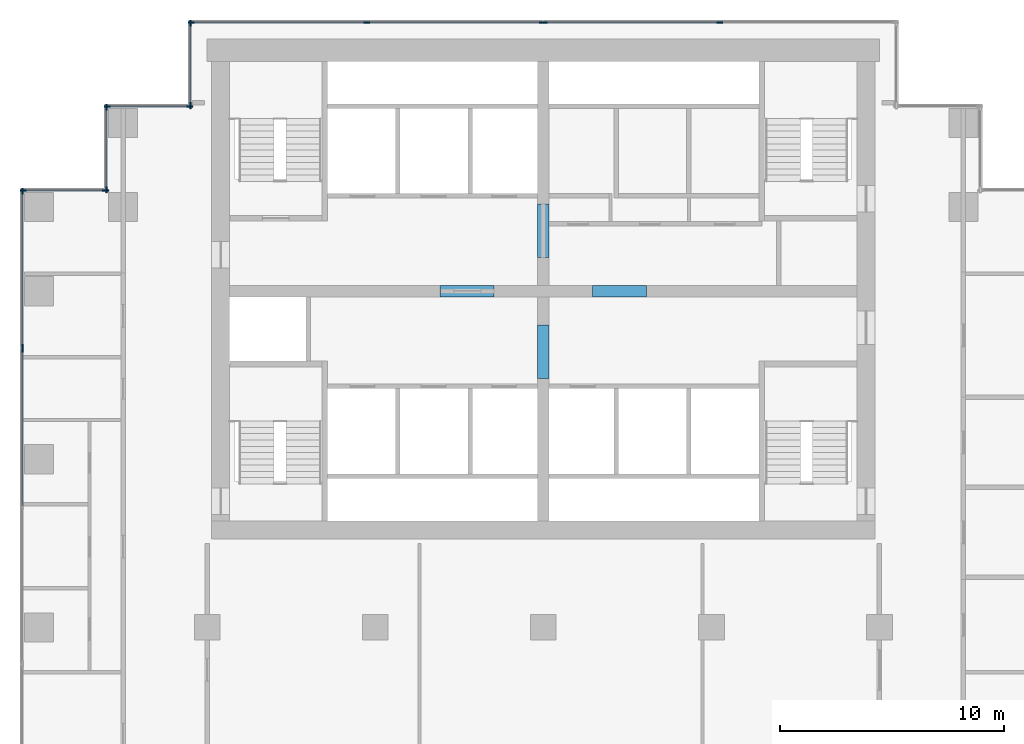
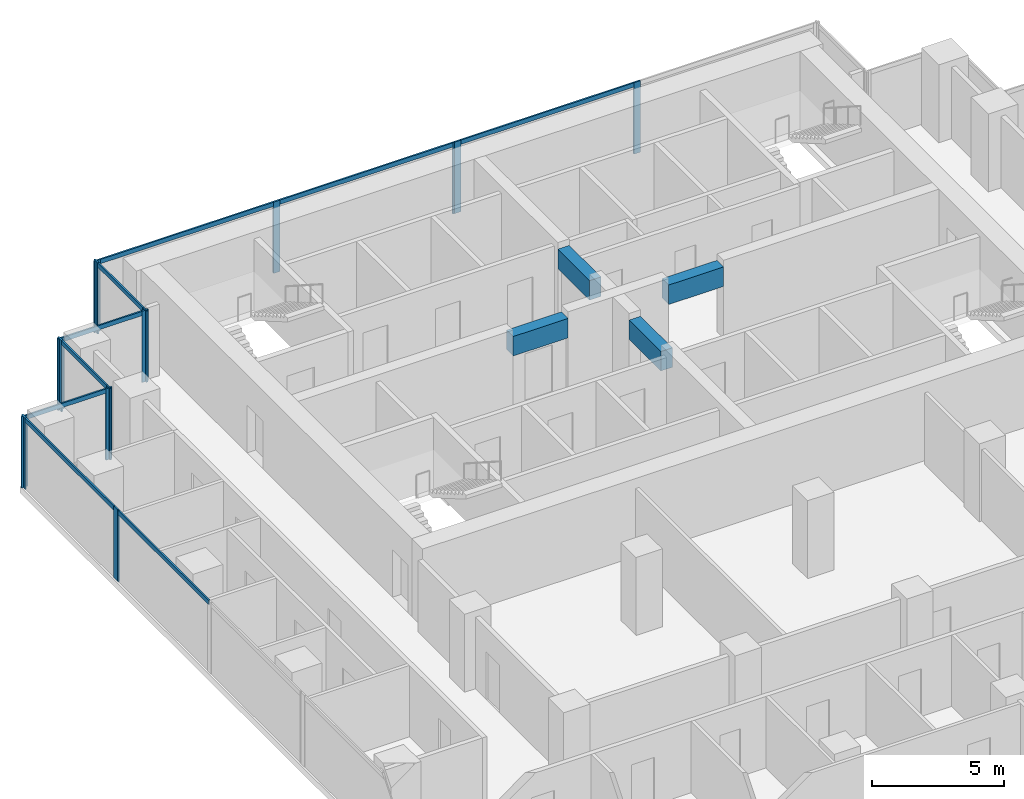
# One storey, part 4 of 10: 25 members, 4 beams, 8 elements without a shape of their own.
"""IFC4 building model written with IfcOpenShell, lengths in metres."""

from ifc_helpers import new_model, si_unit, direction, frame, origin, origin_2d, place, context, subcontext, project, spatial, rectangle, extrude, material, material_profile, profile_set, type_object, element, aggregate, save


model = new_model("IFC4")

# Units and contexts
model_context = context("Model", 3, precision=1e-05, world=origin(), true_north=direction((0.0, 1.0)))
body_context = subcontext(model_context, "Body", "Model", "MODEL_VIEW")
ifc_project = project(units=[si_unit("LENGTHUNIT", "METRE"), si_unit("AREAUNIT", "SQUARE_METRE"), si_unit("VOLUMEUNIT", "CUBIC_METRE"), si_unit("PLANEANGLEUNIT", "RADIAN"), si_unit("MASSUNIT", "GRAM", prefix="KILO")], contexts=[model_context])

# Site, building, storey
site_placement = place(None, origin())
site = spatial("IfcSite", under=ifc_project, at=site_placement, CompositionType="ELEMENT")
building_placement = place(site_placement, origin())
building = spatial("IfcBuilding", under=site, at=building_placement, Name="Pilkhan Gate Tower", CompositionType="ELEMENT")
storey_placement = place(building_placement, frame((0.0, 0.0, 139.60009765625)))
storey = spatial("IfcBuildingStorey", under=building, at=storey_placement, Name="L35", CompositionType="ELEMENT", Elevation=139.60009765625)

# Beams
ifc_material_1 = material(Name="Concrete C60/75", Category="concrete")
ifc_material_profile_1 = material_profile(ifc_material_1, rectangle(XDim=0.5, YDim=0.89990234375, at=origin_2d()), Name="RC 500x900")
ifc_profile_set_1 = profile_set([ifc_material_profile_1], Name="Concrete C60/75")
beam_type = type_object("IfcBeamType", Name="Coupling beam CB90 RC 500x900 C60/75", PredefinedType="LINTEL", material=ifc_profile_set_1)
for number, where, z_axis, x_axis, name in (
    (1, (70.39990234375, 82.5, 2.849853515625), (1.0, 0.0, 0.0), (0.0, 1.0, 0.0), "Coupling beam 1 L35"),
    (2, (77.199951171875, 82.5, 2.849853515625), (1.0, 0.0, 0.0), (0.0, 1.0, 0.0), "Coupling beam 2 L35"),
):
    element("IfcBeam", number, at=place(storey_placement, frame(where, z_axis=z_axis, x_axis=x_axis)), inside=storey, type_object=beam_type, Name=name, PredefinedType="LINTEL", context=body_context, shape_type="SweptSolid", body=[
        extrude(rectangle(XDim=0.5, YDim=0.89990234375, at=origin_2d()), origin(), (0.0, 0.0, 1.0), 2.400146484375),
    ])
for number, where, z_axis, x_axis, name in (
    (3, (75.0, 78.60009765625, 2.849853515625), (0.0, 1.0, 0.0), (-1.0, 0.0, 0.0), "Coupling beam 3 L35"),
    (4, (75.0, 84.0, 2.849853515625), (0.0, 1.0, 0.0), (-1.0, 0.0, 0.0), "Coupling beam 4 L35"),
):
    element("IfcBeam", number, at=place(storey_placement, frame(where, z_axis=z_axis, x_axis=x_axis)), inside=storey, type_object=beam_type, Name=name, PredefinedType="LINTEL", context=body_context, shape_type="SweptSolid", body=[
        extrude(rectangle(XDim=0.5, YDim=0.89990234375, at=origin_2d()), origin(), (0.0, 0.0, 1.0), 2.39990234375),
    ])

# Curtain wall, members
ifc_material_2 = material(Name="Pale anodised aluminium, clear low-iron double glazing", Category="aluminium")
curtain_wall_type = type_object("IfcCurtainWallType", Name="Office unitised curtain wall CW-O1", PredefinedType="USERDEFINED", material=ifc_material_2)
curtain_wall_1_placement = place(storey_placement, origin())
curtain_wall_1 = element("IfcCurtainWall", 5, at=curtain_wall_1_placement, inside=storey, type_object=curtain_wall_type, Name="Office unitised curtain wall CW-O1 L35 N", ObjectType="UNITISED CURTAIN WALL", PredefinedType="USERDEFINED")
ifc_material_3 = material(Name="Pale anodised aluminium", Category="aluminium")
ifc_material_profile_2 = material_profile(ifc_material_3, rectangle(XDim=0.070068359375, YDim=0.27490234375, at=origin_2d()), Name="Mullion 275x70")
ifc_profile_set_2 = profile_set([ifc_material_profile_2], Name="Pale anodised aluminium")
member_type_1 = type_object("IfcMemberType", Name="Mullion CW-O1 275x70", PredefinedType="MULLION", material=ifc_profile_set_2)
member_1_placement = place(storey_placement, frame((59.284912109375, 94.5, 0.0), z_axis=(0.0, 0.0, 1.0), x_axis=(0.0, 1.0, 0.0)))
member_1 = element("IfcMember", 6, at=member_1_placement, type_object=member_type_1, Name="CW-O1 mullion 1", PredefinedType="MULLION", context=body_context, shape_type="SweptSolid", body=[
    extrude(rectangle(XDim=0.070068359375, YDim=0.27490234375, at=origin_2d()), origin(), (0.0, 0.0, 1.0), 3.2998046875),
])
member_2_placement = place(storey_placement, frame((67.125, 94.5, 0.0), z_axis=(0.0, 0.0, 1.0), x_axis=(0.0, 1.0, 0.0)))
member_2 = element("IfcMember", 7, at=member_2_placement, type_object=member_type_1, Name="CW-O1 mullion 2", PredefinedType="MULLION", context=body_context, shape_type="SweptSolid", body=[
    extrude(rectangle(XDim=0.070068359375, YDim=0.27490234375, at=origin_2d()), origin(), (0.0, 0.0, 1.0), 3.2998046875),
])
member_3_placement = place(storey_placement, frame((74.965087890625, 94.5, 0.0), z_axis=(0.0, 0.0, 1.0), x_axis=(0.0, 1.0, 0.0)))
member_3 = element("IfcMember", 8, at=member_3_placement, type_object=member_type_1, Name="CW-O1 mullion 3", PredefinedType="MULLION", context=body_context, shape_type="SweptSolid", body=[
    extrude(rectangle(XDim=0.070068359375, YDim=0.27490234375, at=origin_2d()), origin(), (0.0, 0.0, 1.0), 3.2998046875),
])

curtain_wall_2_placement = place(storey_placement, origin())
curtain_wall_2 = element("IfcCurtainWall", 9, at=curtain_wall_2_placement, inside=storey, type_object=curtain_wall_type, Name="Office unitised curtain wall CW-O1 L35 N", ObjectType="UNITISED CURTAIN WALL", PredefinedType="USERDEFINED")
member_4_placement = place(storey_placement, frame((75.034912109375, 94.5, 0.0), z_axis=(0.0, 0.0, 1.0), x_axis=(0.0, 1.0, 0.0)))
member_4 = element("IfcMember", 10, at=member_4_placement, type_object=member_type_1, Name="CW-O1 mullion 1", PredefinedType="MULLION", context=body_context, shape_type="SweptSolid", body=[
    extrude(rectangle(XDim=0.070068359375, YDim=0.27490234375, at=origin_2d()), origin(), (0.0, 0.0, 1.0), 3.2998046875),
])
member_5_placement = place(storey_placement, frame((82.875, 94.5, 0.0), z_axis=(0.0, 0.0, 1.0), x_axis=(0.0, 1.0, 0.0)))
member_5 = element("IfcMember", 11, at=member_5_placement, type_object=member_type_1, Name="CW-O1 mullion 2", PredefinedType="MULLION", context=body_context, shape_type="SweptSolid", body=[
    extrude(rectangle(XDim=0.070068359375, YDim=0.27490234375, at=origin_2d()), origin(), (0.0, 0.0, 1.0), 3.2998046875),
])

curtain_wall_3_placement = place(storey_placement, origin())
curtain_wall_3 = element("IfcCurtainWall", 12, at=curtain_wall_3_placement, inside=storey, type_object=curtain_wall_type, Name="Office unitised curtain wall CW-O1 L35 W", ObjectType="UNITISED CURTAIN WALL", PredefinedType="USERDEFINED")
member_6_placement = place(storey_placement, frame((59.25, 90.784912109375, 0.0), z_axis=(0.0, 0.0, 1.0), x_axis=(-1.0, 0.0, 0.0)))
member_6 = element("IfcMember", 13, at=member_6_placement, type_object=member_type_1, Name="CW-O1 mullion 1", PredefinedType="MULLION", context=body_context, shape_type="SweptSolid", body=[
    extrude(rectangle(XDim=0.070068359375, YDim=0.27490234375, at=origin_2d()), origin(), (0.0, 0.0, 1.0), 3.2998046875),
])
member_7_placement = place(storey_placement, frame((59.25, 94.465087890625, 0.0), z_axis=(0.0, 0.0, 1.0), x_axis=(-1.0, 0.0, 0.0)))
member_7 = element("IfcMember", 14, at=member_7_placement, type_object=member_type_1, Name="CW-O1 mullion 2", PredefinedType="MULLION", context=body_context, shape_type="SweptSolid", body=[
    extrude(rectangle(XDim=0.070068359375, YDim=0.27490234375, at=origin_2d()), origin(), (0.0, 0.0, 1.0), 3.2998046875),
])

curtain_wall_4_placement = place(storey_placement, origin())
curtain_wall_4 = element("IfcCurtainWall", 15, at=curtain_wall_4_placement, inside=storey, type_object=curtain_wall_type, Name="Office unitised curtain wall CW-O1 L35 N", ObjectType="UNITISED CURTAIN WALL", PredefinedType="USERDEFINED")
member_8_placement = place(storey_placement, frame((55.534912109375, 90.75, 0.0), z_axis=(0.0, 0.0, 1.0), x_axis=(0.0, 1.0, 0.0)))
member_8 = element("IfcMember", 16, at=member_8_placement, type_object=member_type_1, Name="CW-O1 mullion 1", PredefinedType="MULLION", context=body_context, shape_type="SweptSolid", body=[
    extrude(rectangle(XDim=0.070068359375, YDim=0.27490234375, at=origin_2d()), origin(), (0.0, 0.0, 1.0), 3.2998046875),
])
member_9_placement = place(storey_placement, frame((59.215087890625, 90.75, 0.0), z_axis=(0.0, 0.0, 1.0), x_axis=(0.0, 1.0, 0.0)))
member_9 = element("IfcMember", 17, at=member_9_placement, type_object=member_type_1, Name="CW-O1 mullion 2", PredefinedType="MULLION", context=body_context, shape_type="SweptSolid", body=[
    extrude(rectangle(XDim=0.070068359375, YDim=0.27490234375, at=origin_2d()), origin(), (0.0, 0.0, 1.0), 3.2998046875),
])

curtain_wall_5_placement = place(storey_placement, origin())
curtain_wall_5 = element("IfcCurtainWall", 18, at=curtain_wall_5_placement, inside=storey, type_object=curtain_wall_type, Name="Office unitised curtain wall CW-O1 L35 W", ObjectType="UNITISED CURTAIN WALL", PredefinedType="USERDEFINED")
member_10_placement = place(storey_placement, frame((55.5, 87.034912109375, 0.0), z_axis=(0.0, 0.0, 1.0), x_axis=(-1.0, 0.0, 0.0)))
member_10 = element("IfcMember", 19, at=member_10_placement, type_object=member_type_1, Name="CW-O1 mullion 1", PredefinedType="MULLION", context=body_context, shape_type="SweptSolid", body=[
    extrude(rectangle(XDim=0.070068359375, YDim=0.27490234375, at=origin_2d()), origin(), (0.0, 0.0, 1.0), 3.2998046875),
])
member_11_placement = place(storey_placement, frame((55.5, 90.715087890625, 0.0), z_axis=(0.0, 0.0, 1.0), x_axis=(-1.0, 0.0, 0.0)))
member_11 = element("IfcMember", 20, at=member_11_placement, type_object=member_type_1, Name="CW-O1 mullion 2", PredefinedType="MULLION", context=body_context, shape_type="SweptSolid", body=[
    extrude(rectangle(XDim=0.070068359375, YDim=0.27490234375, at=origin_2d()), origin(), (0.0, 0.0, 1.0), 3.2998046875),
])

curtain_wall_6_placement = place(storey_placement, origin())
curtain_wall_6 = element("IfcCurtainWall", 21, at=curtain_wall_6_placement, inside=storey, type_object=curtain_wall_type, Name="Office unitised curtain wall CW-O1 L35 N", ObjectType="UNITISED CURTAIN WALL", PredefinedType="USERDEFINED")
member_12_placement = place(storey_placement, frame((51.784912109375, 87.0, 0.0), z_axis=(0.0, 0.0, 1.0), x_axis=(0.0, 1.0, 0.0)))
member_12 = element("IfcMember", 22, at=member_12_placement, type_object=member_type_1, Name="CW-O1 mullion 1", PredefinedType="MULLION", context=body_context, shape_type="SweptSolid", body=[
    extrude(rectangle(XDim=0.070068359375, YDim=0.27490234375, at=origin_2d()), origin(), (0.0, 0.0, 1.0), 3.2998046875),
])
member_13_placement = place(storey_placement, frame((55.465087890625, 87.0, 0.0), z_axis=(0.0, 0.0, 1.0), x_axis=(0.0, 1.0, 0.0)))
member_13 = element("IfcMember", 23, at=member_13_placement, type_object=member_type_1, Name="CW-O1 mullion 2", PredefinedType="MULLION", context=body_context, shape_type="SweptSolid", body=[
    extrude(rectangle(XDim=0.070068359375, YDim=0.27490234375, at=origin_2d()), origin(), (0.0, 0.0, 1.0), 3.2998046875),
])

# Curtain wall, member
curtain_wall_7_placement = place(storey_placement, origin())
curtain_wall_7 = element("IfcCurtainWall", 24, at=curtain_wall_7_placement, inside=storey, type_object=curtain_wall_type, Name="Office unitised curtain wall CW-O1 L35 W", ObjectType="UNITISED CURTAIN WALL", PredefinedType="USERDEFINED")
member_14_placement = place(storey_placement, frame((51.75, 79.9150390625, 0.0), z_axis=(0.0, 0.0, 1.0), x_axis=(-1.0, 0.0, 0.0)))
member_14 = element("IfcMember", 25, at=member_14_placement, type_object=member_type_1, Name="CW-O1 mullion 3", PredefinedType="MULLION", context=body_context, shape_type="SweptSolid", body=[
    extrude(rectangle(XDim=0.070068359375, YDim=0.27490234375, at=origin_2d()), origin(), (0.0, 0.0, 1.0), 3.2998046875),
])

# Curtain wall, members
curtain_wall_8_placement = place(storey_placement, origin())
curtain_wall_8 = element("IfcCurtainWall", 26, at=curtain_wall_8_placement, inside=storey, type_object=curtain_wall_type, Name="Office unitised curtain wall CW-O1 L35 W", ObjectType="UNITISED CURTAIN WALL", PredefinedType="USERDEFINED")
member_15_placement = place(storey_placement, frame((51.75, 79.985107421875, 0.0), z_axis=(0.0, 0.0, 1.0), x_axis=(-1.0, 0.0, 0.0)))
member_15 = element("IfcMember", 27, at=member_15_placement, type_object=member_type_1, Name="CW-O1 mullion 1", PredefinedType="MULLION", context=body_context, shape_type="SweptSolid", body=[
    extrude(rectangle(XDim=0.070068359375, YDim=0.27490234375, at=origin_2d()), origin(), (0.0, 0.0, 1.0), 3.2998046875),
])
member_16_placement = place(storey_placement, frame((51.75, 86.965087890625, 0.0), z_axis=(0.0, 0.0, 1.0), x_axis=(-1.0, 0.0, 0.0)))
member_16 = element("IfcMember", 28, at=member_16_placement, type_object=member_type_1, Name="CW-O1 mullion 2", PredefinedType="MULLION", context=body_context, shape_type="SweptSolid", body=[
    extrude(rectangle(XDim=0.070068359375, YDim=0.27490234375, at=origin_2d()), origin(), (0.0, 0.0, 1.0), 3.2998046875),
])

# Member
ifc_material_profile_3 = material_profile(ifc_material_3, rectangle(XDim=0.070068359375, YDim=0.199951171875, at=origin_2d()), Name="Transom 200x70")
ifc_profile_set_3 = profile_set([ifc_material_profile_3], Name="Pale anodised aluminium")
member_type_2 = type_object("IfcMemberType", Name="Transom CW-O1 200x70", PredefinedType="USERDEFINED", material=ifc_profile_set_3)
member_17_placement = place(storey_placement, frame((59.320068359375, 94.5, 3.199951171875), z_axis=(1.0, 0.0, 0.0), x_axis=(0.0, 1.0, 0.0)))
member_17 = element("IfcMember", 29, at=member_17_placement, type_object=member_type_2, Name="CW-O1 transom 1", ObjectType="TRANSOM", PredefinedType="USERDEFINED", context=body_context, shape_type="SweptSolid", body=[
    extrude(rectangle(XDim=0.070068359375, YDim=0.199951171875, at=origin_2d()), origin(), (0.0, 0.0, 1.0), 7.77001953125),
])

member_18_placement = place(storey_placement, frame((67.159912109375, 94.5, 3.199951171875), z_axis=(1.0, 0.0, 0.0), x_axis=(0.0, 1.0, 0.0)))
member_18 = element("IfcMember", 30, at=member_18_placement, type_object=member_type_2, Name="CW-O1 transom 2", ObjectType="TRANSOM", PredefinedType="USERDEFINED", context=body_context, shape_type="SweptSolid", body=[
    extrude(rectangle(XDim=0.070068359375, YDim=0.199951171875, at=origin_2d()), origin(), (0.0, 0.0, 1.0), 7.77001953125),
])

aggregate(curtain_wall_1, [member_1, member_2, member_3, member_17, member_18])

member_19_placement = place(storey_placement, frame((75.070068359375, 94.5, 3.199951171875), z_axis=(1.0, 0.0, 0.0), x_axis=(0.0, 1.0, 0.0)))
member_19 = element("IfcMember", 31, at=member_19_placement, type_object=member_type_2, Name="CW-O1 transom 1", ObjectType="TRANSOM", PredefinedType="USERDEFINED", context=body_context, shape_type="SweptSolid", body=[
    extrude(rectangle(XDim=0.070068359375, YDim=0.199951171875, at=origin_2d()), origin(), (0.0, 0.0, 1.0), 7.77001953125),
])

aggregate(curtain_wall_2, [member_4, member_5, member_19])

member_20_placement = place(storey_placement, frame((59.25, 90.820068359375, 3.199951171875), z_axis=(0.0, 1.0, 0.0), x_axis=(-1.0, 0.0, 0.0)))
member_20 = element("IfcMember", 32, at=member_20_placement, type_object=member_type_2, Name="CW-O1 transom 1", ObjectType="TRANSOM", PredefinedType="USERDEFINED", context=body_context, shape_type="SweptSolid", body=[
    extrude(rectangle(XDim=0.070068359375, YDim=0.199951171875, at=origin_2d()), origin(), (0.0, 0.0, 1.0), 3.60986328125),
])

aggregate(curtain_wall_3, [member_6, member_7, member_20])

member_21_placement = place(storey_placement, frame((55.570068359375, 90.75, 3.199951171875), z_axis=(1.0, 0.0, 0.0), x_axis=(0.0, 1.0, 0.0)))
member_21 = element("IfcMember", 33, at=member_21_placement, type_object=member_type_2, Name="CW-O1 transom 1", ObjectType="TRANSOM", PredefinedType="USERDEFINED", context=body_context, shape_type="SweptSolid", body=[
    extrude(rectangle(XDim=0.070068359375, YDim=0.199951171875, at=origin_2d()), origin(), (0.0, 0.0, 1.0), 3.60986328125),
])

aggregate(curtain_wall_4, [member_8, member_9, member_21])

member_22_placement = place(storey_placement, frame((55.5, 87.070068359375, 3.199951171875), z_axis=(0.0, 1.0, 0.0), x_axis=(-1.0, 0.0, 0.0)))
member_22 = element("IfcMember", 34, at=member_22_placement, type_object=member_type_2, Name="CW-O1 transom 1", ObjectType="TRANSOM", PredefinedType="USERDEFINED", context=body_context, shape_type="SweptSolid", body=[
    extrude(rectangle(XDim=0.070068359375, YDim=0.199951171875, at=origin_2d()), origin(), (0.0, 0.0, 1.0), 3.60986328125),
])

aggregate(curtain_wall_5, [member_10, member_11, member_22])

member_23_placement = place(storey_placement, frame((51.820068359375, 87.0, 3.199951171875), z_axis=(1.0, 0.0, 0.0), x_axis=(0.0, 1.0, 0.0)))
member_23 = element("IfcMember", 35, at=member_23_placement, type_object=member_type_2, Name="CW-O1 transom 1", ObjectType="TRANSOM", PredefinedType="USERDEFINED", context=body_context, shape_type="SweptSolid", body=[
    extrude(rectangle(XDim=0.070068359375, YDim=0.199951171875, at=origin_2d()), origin(), (0.0, 0.0, 1.0), 3.60986328125),
])

aggregate(curtain_wall_6, [member_12, member_13, member_23])

member_24_placement = place(storey_placement, frame((51.75, 72.93505859375, 3.199951171875), z_axis=(0.0, 1.0, 0.0), x_axis=(-1.0, 0.0, 0.0)))
member_24 = element("IfcMember", 36, at=member_24_placement, type_object=member_type_2, Name="CW-O1 transom 2", ObjectType="TRANSOM", PredefinedType="USERDEFINED", context=body_context, shape_type="SweptSolid", body=[
    extrude(rectangle(XDim=0.070068359375, YDim=0.199951171875, at=origin_2d()), origin(), (0.0, 0.0, 1.0), 6.94482421875),
])

aggregate(curtain_wall_7, [member_14, member_24])

member_25_placement = place(storey_placement, frame((51.75, 80.02001953125, 3.199951171875), z_axis=(0.0, 1.0, 0.0), x_axis=(-1.0, 0.0, 0.0)))
member_25 = element("IfcMember", 37, at=member_25_placement, type_object=member_type_2, Name="CW-O1 transom 1", ObjectType="TRANSOM", PredefinedType="USERDEFINED", context=body_context, shape_type="SweptSolid", body=[
    extrude(rectangle(XDim=0.070068359375, YDim=0.199951171875, at=origin_2d()), origin(), (0.0, 0.0, 1.0), 6.909912109375),
])

aggregate(curtain_wall_8, [member_15, member_16, member_25])

save(model, "model.ifc")
